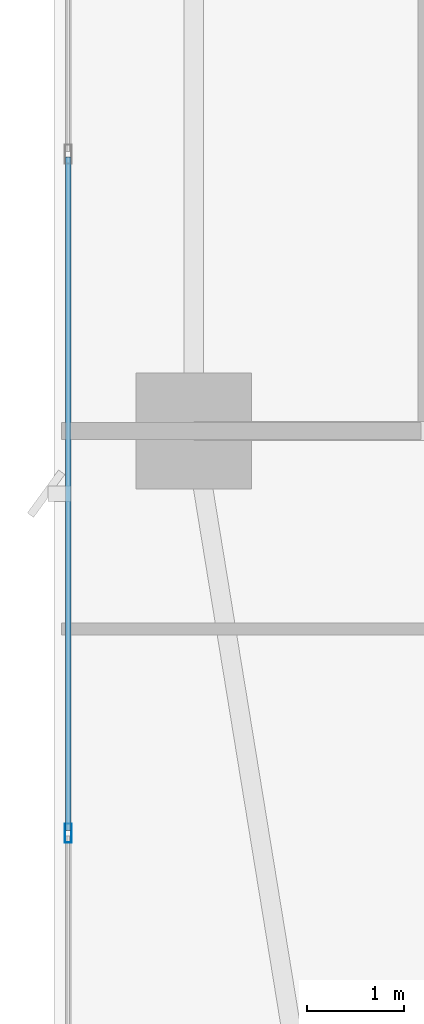
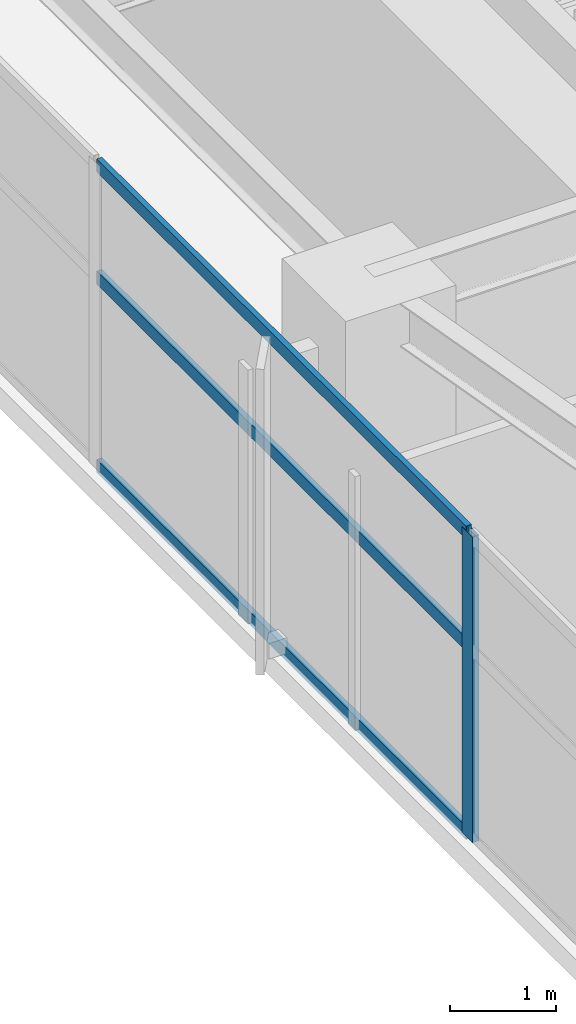
# One storey, part 4 of 28: 4 members, 1 element without a shape of its own.
"""IFC4 building model written with IfcOpenShell, lengths in metres."""

from ifc_helpers import new_model, si_unit, direction, frame, origin, origin_2d, place, context, subcontext, project, spatial, hollow_rectangle, extrude, material, layer, layer_set, material_profile, profile_set, type_object, element, aggregate, save


model = new_model("IFC4")

# Units and contexts
model_context = context("Model", 3, precision=1e-05, world=origin(), true_north=direction((0.0, 1.0)))
body_context = subcontext(model_context, "Body", "Model", "MODEL_VIEW")
ifc_project = project(units=[si_unit("LENGTHUNIT", "METRE"), si_unit("AREAUNIT", "SQUARE_METRE"), si_unit("VOLUMEUNIT", "CUBIC_METRE"), si_unit("PLANEANGLEUNIT", "RADIAN"), si_unit("MASSUNIT", "GRAM", prefix="KILO")], contexts=[model_context])

# Site, building, storey
site_placement = place(None, origin())
site = spatial("IfcSite", under=ifc_project, at=site_placement, CompositionType="ELEMENT")
building_placement = place(site_placement, origin())
building = spatial("IfcBuilding", under=site, at=building_placement, Name="Calvorn Quay Hotel", CompositionType="ELEMENT")
storey_placement = place(building_placement, frame((0.0, 0.0, 182.699951171875)))
storey = spatial("IfcBuildingStorey", under=building, at=storey_placement, Name="L45", CompositionType="ELEMENT", Elevation=182.699951171875)

# Curtain wall, members
ifc_material_1 = material(Name="Pale Anodised Aluminium and Low-E Glass", Category="aluminium")
ifc_layer = layer(ifc_material_1, 0.219970703125)
ifc_layer_set = layer_set([ifc_layer], Name="CW-SYS-Z2")
curtain_wall_type = type_object("IfcCurtainWallType", Name="CW-SYS-Z2", PredefinedType="NOTDEFINED", material=ifc_layer_set)
curtain_wall_placement = place(storey_placement, origin())
curtain_wall = element("IfcCurtainWall", 1, at=curtain_wall_placement, inside=storey, type_object=curtain_wall_type, Name="Tower West Curtain Wall (L45)", PredefinedType="NOTDEFINED")
ifc_material_2 = material(Name="Pale Anodised Aluminium 6063-T6", Category="aluminium")
ifc_material_profile_1 = material_profile(ifc_material_2, hollow_rectangle(XDim=0.070068359375, YDim=0.199951171875, WallThickness=0.00390625, at=origin_2d()), Name="ALU-M200x70x4")
ifc_profile_set_1 = profile_set([ifc_material_profile_1], Name="Pale Anodised Aluminium 6063-T6")
member_type_1 = type_object("IfcMemberType", Name="CW-SYS-Z2-MUL", PredefinedType="MULLION", material=ifc_profile_set_1)
member_1_placement = place(storey_placement, frame((0.14990234375, 12.63330078125, 0.0), z_axis=(0.0, 0.0, 1.0), x_axis=(-1.0, 0.0, 0.0)))
member_1 = element("IfcMember", 2, at=member_1_placement, type_object=member_type_1, Name="CW-L45-W mullion 2", PredefinedType="MULLION", context=body_context, shape_type="SweptSolid", body=[
    extrude(hollow_rectangle(XDim=0.070068359375, YDim=0.199951171875, WallThickness=0.00390625, at=origin_2d()), origin(), (0.0, 0.0, 1.0), 3.52001953125),
])
ifc_material_3 = material(Name="Pale Anodised Aluminium 6063-T6", Category="aluminium")
ifc_material_profile_2 = material_profile(ifc_material_3, hollow_rectangle(XDim=0.06005859375, YDim=0.14990234375, WallThickness=0.00341796875, at=origin_2d()), Name="ALU-T150x60x3.5")
ifc_profile_set_2 = profile_set([ifc_material_profile_2], Name="Pale Anodised Aluminium 6063-T6")
member_type_2 = type_object("IfcMemberType", Name="CW-SYS-Z2-TRN", PredefinedType="USERDEFINED", material=ifc_profile_set_2)
member_2_placement = place(storey_placement, frame((0.14990234375, 12.663330078125, 0.030029296875), z_axis=(0.0, 1.0, 0.0), x_axis=(-1.0, 0.0, 0.0)))
member_2 = element("IfcMember", 3, at=member_2_placement, type_object=member_type_2, Name="CW-L45-W transom 2.1", ObjectType="TRANSOM", PredefinedType="USERDEFINED", context=body_context, shape_type="SweptSolid", body=[
    extrude(hollow_rectangle(XDim=0.06005859375, YDim=0.14990234375, WallThickness=0.00341796875, at=origin_2d()), origin(), (0.0, 0.0, 1.0), 6.973388671875),
])
member_3_placement = place(storey_placement, frame((0.14990234375, 12.663330078125, 2.199951171875), z_axis=(0.0, 1.0, 0.0), x_axis=(-1.0, 0.0, 0.0)))
member_3 = element("IfcMember", 4, at=member_3_placement, type_object=member_type_2, Name="CW-L45-W transom 2.2", ObjectType="TRANSOM", PredefinedType="USERDEFINED", context=body_context, shape_type="SweptSolid", body=[
    extrude(hollow_rectangle(XDim=0.06005859375, YDim=0.14990234375, WallThickness=0.00341796875, at=origin_2d()), origin(), (0.0, 0.0, 1.0), 6.973388671875),
])
member_4_placement = place(storey_placement, frame((0.14990234375, 12.663330078125, 3.489990234375), z_axis=(0.0, 1.0, 0.0), x_axis=(-1.0, 0.0, 0.0)))
member_4 = element("IfcMember", 5, at=member_4_placement, type_object=member_type_2, Name="CW-L45-W transom 2.3", ObjectType="TRANSOM", PredefinedType="USERDEFINED", context=body_context, shape_type="SweptSolid", body=[
    extrude(hollow_rectangle(XDim=0.06005859375, YDim=0.14990234375, WallThickness=0.00341796875, at=origin_2d()), origin(), (0.0, 0.0, 1.0), 6.973388671875),
])
aggregate(curtain_wall, [member_1, member_2, member_3, member_4])

save(model, "model.ifc")
